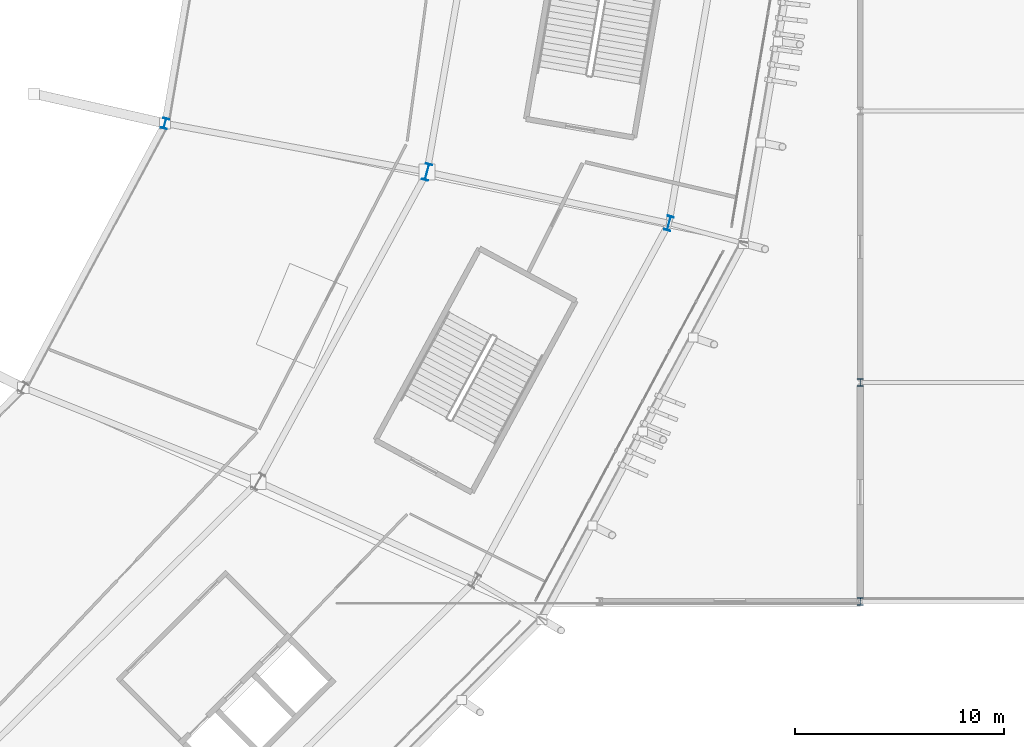
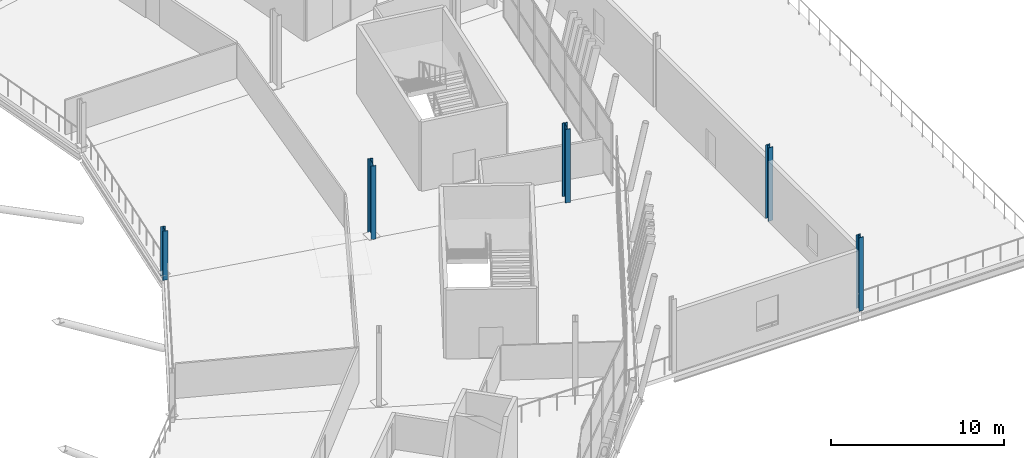
# One storey, part 11 of 168: 5 columns.
"""IFC4 building model written with IfcOpenShell, lengths in metres."""

from ifc_helpers import new_model, si_unit, direction, frame, origin, origin_2d, place, context, subcontext, project, spatial, i_section, extrude, material, material_profile, profile_set, type_object, element, save


model = new_model("IFC4")

# Units and contexts
model_context = context("Model", 3, precision=1e-05, world=origin(), true_north=direction((0.0, 1.0)))
body_context = subcontext(model_context, "Body", "Model", "MODEL_VIEW")
ifc_project = project(units=[si_unit("LENGTHUNIT", "METRE"), si_unit("AREAUNIT", "SQUARE_METRE"), si_unit("VOLUMEUNIT", "CUBIC_METRE"), si_unit("PLANEANGLEUNIT", "RADIAN"), si_unit("MASSUNIT", "GRAM", prefix="KILO")], contexts=[model_context])

# Site, building, storey
site_placement = place(None, origin())
site = spatial("IfcSite", under=ifc_project, at=site_placement, CompositionType="ELEMENT")
building_placement = place(site_placement, origin())
building = spatial("IfcBuilding", under=site, at=building_placement, Name="Zlatoyarsky Gate Stadium", CompositionType="ELEMENT")
storey_placement = place(building_placement, frame((0.0, 0.0, 15.60009765625)))
storey = spatial("IfcBuildingStorey", under=building, at=storey_placement, Name="L03", CompositionType="ELEMENT", Elevation=15.60009765625)

# Columns
ifc_material = material(Name="Steel S355", Category="steel")
ifc_material_profile_1 = material_profile(ifc_material, i_section(OverallWidth=0.300048828125, OverallDepth=0.360107421875, WebThickness=0.012451171875, FlangeThickness=0.0224609375, FilletRadius=0.027099609375, at=origin_2d()), Name="HEB 360")
ifc_profile_set_1 = profile_set([ifc_material_profile_1], Name="Steel S355")
column_type_1 = type_object("IfcColumnType", Name="STEEL COLUMN HEB 360", PredefinedType="COLUMN", material=ifc_profile_set_1)
for number, where, z_axis, x_axis, name in (
    (1, (210.0, 43.5, 0.0), (0.0, 0.0, 1.0), (1.0, 0.0, 0.0), "Column ST-C360 WG-18-E on L03"),
    (2, (210.0, 54.0, 0.0), (0.0, 0.0, 1.0), (1.0, 0.0, 0.0), "Column ST-C360 WG-18-F on L03"),
):
    element("IfcColumn", number, at=place(storey_placement, frame(where, z_axis=z_axis, x_axis=x_axis)), inside=storey, type_object=column_type_1, Name=name, PredefinedType="COLUMN", context=body_context, shape_type="SweptSolid", body=[
        extrude(i_section(OverallWidth=0.300048828125, OverallDepth=0.360107421875, WebThickness=0.012451171875, FlangeThickness=0.0224609375, FilletRadius=0.027099609375, at=origin_2d()), origin(), (0.0, 0.0, 1.0), 5.199951171875),
    ])
ifc_material_profile_2 = material_profile(ifc_material, i_section(OverallWidth=0.300048828125, OverallDepth=0.5, WebThickness=0.014404296875, FlangeThickness=0.028076171875, FilletRadius=0.027099609375, at=origin_2d()), Name="HEB 500")
ifc_profile_set_2 = profile_set([ifc_material_profile_2], Name="Steel S355")
column_type_2 = type_object("IfcColumnType", Name="STEEL COLUMN HEB 500", PredefinedType="COLUMN", material=ifc_profile_set_2)
column_1_placement = place(storey_placement, frame((176.68310546875, 66.412109375, 0.0), z_axis=(0.0, 0.0, 1.0), x_axis=(0.965925826289, -0.258819045103, 0.0)))
element("IfcColumn", 3, at=column_1_placement, inside=storey, type_object=column_type_2, Name="Column ST-C500 RA-23 on L03", PredefinedType="COLUMN", context=body_context, shape_type="SweptSolid", body=[
    extrude(i_section(OverallWidth=0.300048828125, OverallDepth=0.5, WebThickness=0.014404296875, FlangeThickness=0.028076171875, FilletRadius=0.027099609375, at=origin_2d()), origin(), (0.0, 0.0, 1.0), 3.47998046875),
])
ifc_material_profile_3 = material_profile(ifc_material, i_section(OverallWidth=0.300048828125, OverallDepth=0.699951171875, WebThickness=0.01708984375, FlangeThickness=0.031982421875, FilletRadius=0.027099609375, at=origin_2d()), Name="HEB 700")
ifc_profile_set_3 = profile_set([ifc_material_profile_3], Name="Steel S355")
column_type_3 = type_object("IfcColumnType", Name="STEEL COLUMN HEB 700", PredefinedType="COLUMN", material=ifc_profile_set_3)
column_2_placement = place(storey_placement, frame((200.8310546875, 61.623779296875, 0.0), z_axis=(0.0, 0.0, 1.0), x_axis=(0.965925826289, -0.258819045103, 0.0)))
element("IfcColumn", 4, at=column_2_placement, inside=storey, type_object=column_type_3, Name="Column ST-C700 RC-23 on L03", PredefinedType="COLUMN", context=body_context, shape_type="SweptSolid", body=[
    extrude(i_section(OverallWidth=0.300048828125, OverallDepth=0.699951171875, WebThickness=0.01708984375, FlangeThickness=0.031982421875, FilletRadius=0.027099609375, at=origin_2d()), origin(), (0.0, 0.0, 1.0), 5.199951171875),
])
ifc_material_profile_4 = material_profile(ifc_material, i_section(OverallWidth=0.300048828125, OverallDepth=0.800048828125, WebThickness=0.017578125, FlangeThickness=0.032958984375, FilletRadius=0.030029296875, at=origin_2d()), Name="HEB 800")
ifc_profile_set_4 = profile_set([ifc_material_profile_4], Name="Steel S355")
column_type_4 = type_object("IfcColumnType", Name="STEEL COLUMN HEB 800", PredefinedType="COLUMN", material=ifc_profile_set_4)
column_3_placement = place(storey_placement, frame((189.239990234375, 64.08251953125, 0.0), z_axis=(0.0, 0.0, 1.0), x_axis=(0.965925826289, -0.258819045103, 0.0)))
element("IfcColumn", 5, at=column_3_placement, inside=storey, type_object=column_type_4, Name="Column ST-C800 RB-23 on L03", PredefinedType="COLUMN", context=body_context, shape_type="SweptSolid", body=[
    extrude(i_section(OverallWidth=0.300048828125, OverallDepth=0.800048828125, WebThickness=0.017578125, FlangeThickness=0.032958984375, FilletRadius=0.030029296875, at=origin_2d()), origin(), (0.0, 0.0, 1.0), 5.199951171875),
])

save(model, "model.ifc")
